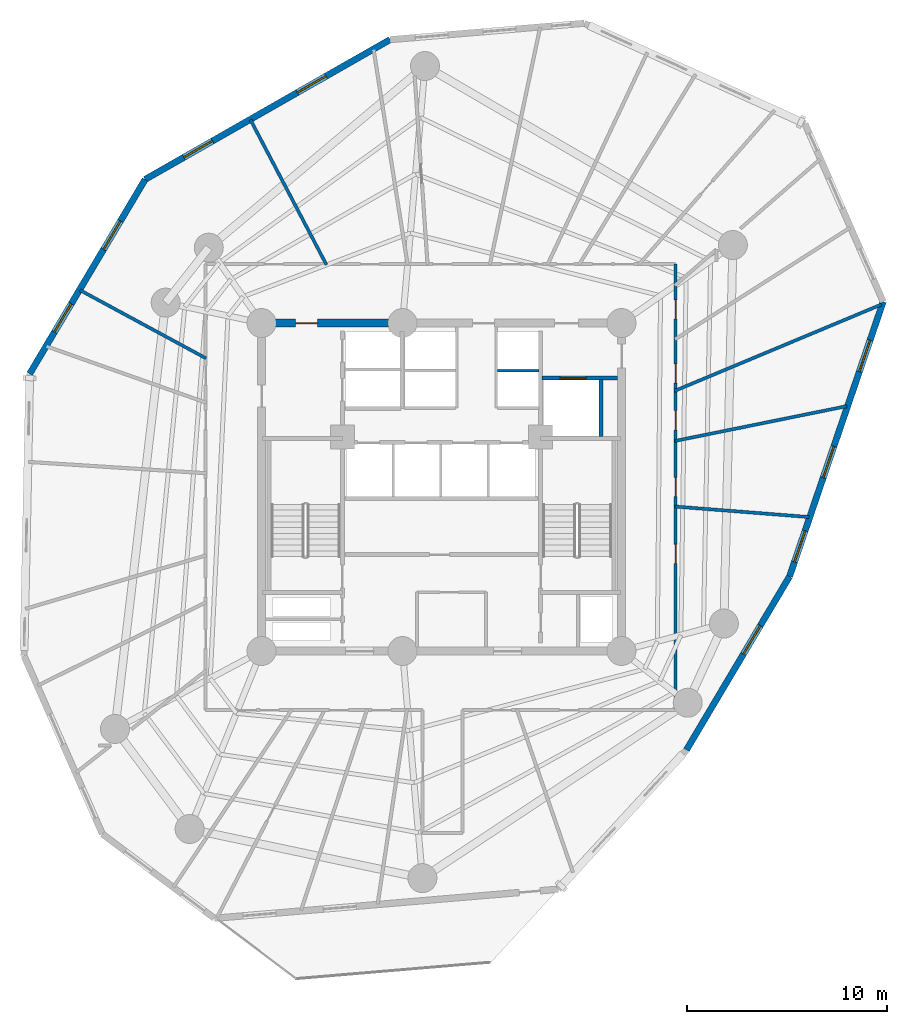
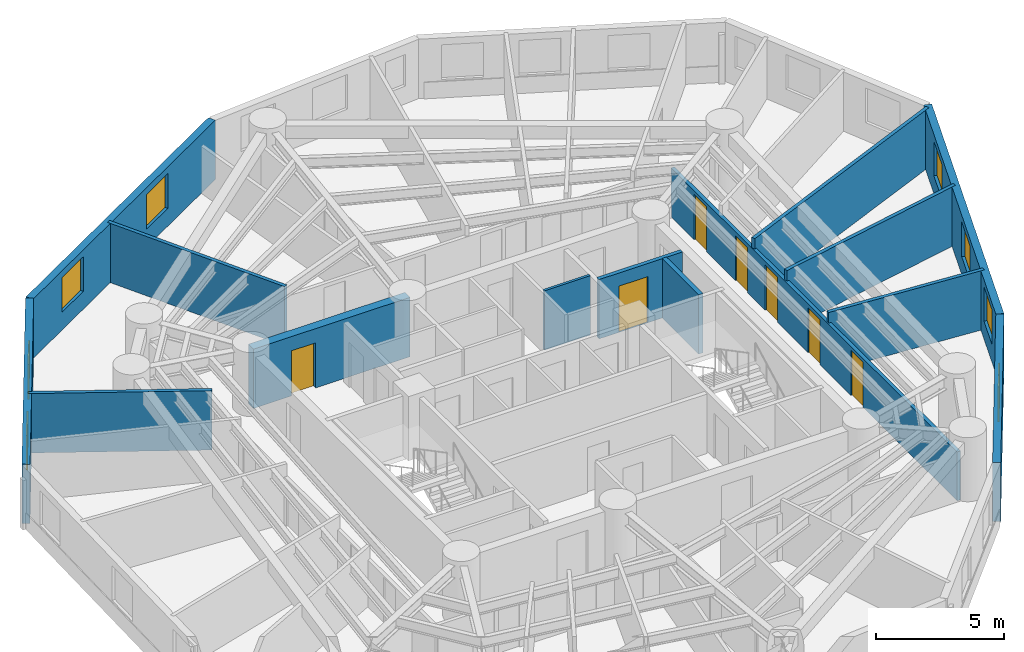
# One storey, part 5 of 10: 14 walls, 8 windows, 7 doors, 15 openings.
"""IFC4 building model written with IfcOpenShell, lengths in metres."""

from ifc_helpers import new_model, si_unit, direction, frame, frame_2d, origin, origin_with_axes, place, context, subcontext, project, spatial, rectangle, extrude, source, transform, mapped, material, layer, layer_set, type_object, element, fill, save


model = new_model("IFC4")

# Units and contexts
model_context = context("Model", 3, precision=1e-05, world=origin(), true_north=direction((0.0, 1.0)))
body_context = subcontext(model_context, "Body", "Model", "MODEL_VIEW")
ifc_project = project(units=[si_unit("LENGTHUNIT", "METRE"), si_unit("AREAUNIT", "SQUARE_METRE"), si_unit("VOLUMEUNIT", "CUBIC_METRE"), si_unit("PLANEANGLEUNIT", "RADIAN"), si_unit("MASSUNIT", "GRAM", prefix="KILO")], contexts=[model_context])

# Site, building, storey
site_placement = place(None, origin())
site = spatial("IfcSite", under=ifc_project, at=site_placement, CompositionType="ELEMENT")
building_placement = place(site_placement, origin())
building = spatial("IfcBuilding", under=site, at=building_placement, Name="Karkom Vertical University and Central Library", CompositionType="ELEMENT")
storey_placement = place(building_placement, frame((0.0, 0.0, 111.449951171875)))
storey = spatial("IfcBuildingStorey", under=building, at=storey_placement, Name="L30", CompositionType="ELEMENT", Elevation=111.449951171875)

# Wall, opening, window
ifc_material_1 = material(Name="Brick-faced precast concrete C45/55", Category="masonry")
ifc_layer_1 = layer(ifc_material_1, 0.320068359375)
ifc_layer_set_1 = layer_set([ifc_layer_1], Name="Brick-faced precast concrete C45/55")
wall_type_1 = type_object("IfcWallType", Name="ENV-WL-BRK-320", PredefinedType="SOLIDWALL", material=ifc_layer_set_1)
wall_1_placement = place(storey_placement, frame((40.7490234375, 13.3515625, 0.0), z_axis=(0.0, 0.0, 1.0), x_axis=(0.510851725042, 0.859668840323, 0.0)))
wall_1 = element("IfcWall", 1, at=wall_1_placement, inside=storey, type_object=wall_type_1, Name="Level 30 Brick-Faced Precast Facade Wall 06", PredefinedType="SOLIDWALL", context=body_context, shape_type="SweptSolid", body=[
    extrude(rectangle(XDim=10.092041015625, YDim=0.320068359375, at=frame_2d((5.0458984375, 0.0))), origin(), (0.0, 0.0, 1.0), 2.824951171875),
])
opening_1_placement = place(wall_1_placement, frame((5.576904296875, 0.0, 0.85009765625)))
opening_1 = element("IfcOpeningElement", 2, at=opening_1_placement, cuts=wall_1, Name="Opening WN-06", PredefinedType="OPENING", context=body_context, shape_type="SweptSolid", body=[
    extrude(rectangle(XDim=1.64990234375, YDim=1.64990234375, at=frame_2d((0.824951171875, 0.824951171875))), frame((0.0, 0.169921875, 0.0), z_axis=(0.0, -1.0, 0.0), x_axis=(1.0, 0.0, 0.0)), (0.0, 0.0, 1.0), 0.340087890625),
])
ifc_material_2 = material(Name="Aluminium thermal-break frame with solar-control IGU", Category="aluminium")
window_type = type_object("IfcWindowType", Name="ENV-WIN-WN-06", PartitioningType="SINGLE_PANEL", PredefinedType="WINDOW", material=ifc_material_2)
shared_shape_1 = source(origin_with_axes(), body_context, "Body", "SweptSolid", [
    extrude(rectangle(XDim=1.64990234375, YDim=1.64990234375, at=frame_2d((0.824951171875, 0.824951171875))), frame((0.0, 0.030029296875, 0.0), z_axis=(0.0, -1.0, 0.0), x_axis=(1.0, 0.0, 0.0)), (0.0, 0.0, 1.0), 0.06005859375),
])
window_1_placement = place(opening_1_placement, origin())
window_1 = element("IfcWindow", 3, at=window_1_placement, inside=storey, type_object=window_type, Name="Level 30 Punched Window 6.1", OverallHeight=1.64990234375, OverallWidth=1.64990234375, PartitioningType="SINGLE_PANEL", PredefinedType="WINDOW", context=body_context, shape_type="MappedRepresentation", body=[
    mapped(shared_shape_1, transform((0.0, 0.0, 0.0), scale=1.0)),
])
fill(opening_1, window_1)

# Wall, openings, windows
wall_2_placement = place(storey_placement, frame((45.904541015625, 22.02734375, 0.0), z_axis=(0.0, 0.0, 1.0), x_axis=(0.322607501478, 0.94653283091, 0.0)))
wall_2 = element("IfcWall", 4, at=wall_2_placement, inside=storey, type_object=wall_type_1, Name="Level 30 Brick-Faced Precast Facade Wall 07", PredefinedType="SOLIDWALL", context=body_context, shape_type="SweptSolid", body=[
    extrude(rectangle(XDim=14.517822265625, YDim=0.320068359375, at=frame_2d((7.2587890625, 0.0))), origin(), (0.0, 0.0, 1.0), 2.824951171875),
])
opening_2_placement = place(wall_2_placement, frame((0.76513671875, 0.0, 0.85009765625)))
opening_2 = element("IfcOpeningElement", 5, at=opening_2_placement, cuts=wall_2, Name="Opening WN-06", PredefinedType="OPENING", context=body_context, shape_type="SweptSolid", body=[
    extrude(rectangle(XDim=1.64990234375, YDim=1.64990234375, at=frame_2d((0.824951171875, 0.824951171875))), frame((0.0, 0.169921875, 0.0), z_axis=(0.0, -1.0, 0.0), x_axis=(1.0, 0.0, 0.0)), (0.0, 0.0, 1.0), 0.340087890625),
])
opening_3_placement = place(wall_2_placement, frame((5.219970703125, 0.0, 0.85009765625)))
opening_3 = element("IfcOpeningElement", 6, at=opening_3_placement, cuts=wall_2, Name="Opening WN-06", PredefinedType="OPENING", context=body_context, shape_type="SweptSolid", body=[
    extrude(rectangle(XDim=1.64990234375, YDim=1.64990234375, at=frame_2d((0.824951171875, 0.824951171875))), frame((0.0, 0.169921875, 0.0), z_axis=(0.0, -1.0, 0.0), x_axis=(1.0, 0.0, 0.0)), (0.0, 0.0, 1.0), 0.340087890625),
])
opening_4_placement = place(wall_2_placement, frame((10.82470703125, 0.0, 0.85009765625)))
opening_4 = element("IfcOpeningElement", 7, at=opening_4_placement, cuts=wall_2, Name="Opening WN-06", PredefinedType="OPENING", context=body_context, shape_type="SweptSolid", body=[
    extrude(rectangle(XDim=1.64990234375, YDim=1.64990234375, at=frame_2d((0.824951171875, 0.824951171875))), frame((0.0, 0.169921875, 0.0), z_axis=(0.0, -1.0, 0.0), x_axis=(1.0, 0.0, 0.0)), (0.0, 0.0, 1.0), 0.340087890625),
])
window_2_placement = place(opening_2_placement, origin())
window_2 = element("IfcWindow", 8, at=window_2_placement, inside=storey, type_object=window_type, Name="Level 30 Punched Window 7.1", OverallHeight=1.64990234375, OverallWidth=1.64990234375, PartitioningType="SINGLE_PANEL", PredefinedType="WINDOW", context=body_context, shape_type="MappedRepresentation", body=[
    mapped(shared_shape_1, transform((0.0, 0.0, 0.0), scale=1.0)),
])
fill(opening_2, window_2)
window_3_placement = place(opening_3_placement, origin())
window_3 = element("IfcWindow", 9, at=window_3_placement, inside=storey, type_object=window_type, Name="Level 30 Punched Window 7.2", OverallHeight=1.64990234375, OverallWidth=1.64990234375, PartitioningType="SINGLE_PANEL", PredefinedType="WINDOW", context=body_context, shape_type="MappedRepresentation", body=[
    mapped(shared_shape_1, transform((0.0, 0.0, 0.0), scale=1.0)),
])
fill(opening_3, window_3)
window_4_placement = place(opening_4_placement, origin())
window_4 = element("IfcWindow", 10, at=window_4_placement, inside=storey, type_object=window_type, Name="Level 30 Punched Window 7.3", OverallHeight=1.64990234375, OverallWidth=1.64990234375, PartitioningType="SINGLE_PANEL", PredefinedType="WINDOW", context=body_context, shape_type="MappedRepresentation", body=[
    mapped(shared_shape_1, transform((0.0, 0.0, 0.0), scale=1.0)),
])
fill(opening_4, window_4)

wall_3_placement = place(storey_placement, frame((25.925048828125, 48.872802734375, 0.0), z_axis=(0.0, 0.0, 1.0), x_axis=(-0.868415696325, -0.495836846529, 0.0)))
wall_3 = element("IfcWall", 11, at=wall_3_placement, inside=storey, type_object=wall_type_1, Name="Level 30 Brick-Faced Precast Facade Wall 11", PredefinedType="SOLIDWALL", context=body_context, shape_type="SweptSolid", body=[
    extrude(rectangle(XDim=14.100830078125, YDim=0.320068359375, at=frame_2d((7.05029296875, 0.0))), origin(), (0.0, 0.0, 1.0), 2.824951171875),
])
opening_5_placement = place(wall_3_placement, frame((3.68603515625, 0.0, 0.85009765625)))
opening_5 = element("IfcOpeningElement", 12, at=opening_5_placement, cuts=wall_3, Name="Opening WN-06", PredefinedType="OPENING", context=body_context, shape_type="SweptSolid", body=[
    extrude(rectangle(XDim=1.64990234375, YDim=1.64990234375, at=frame_2d((0.824951171875, 0.824951171875))), frame((0.0, 0.169921875, 0.0), z_axis=(0.0, -1.0, 0.0), x_axis=(1.0, 0.0, 0.0)), (0.0, 0.0, 1.0), 0.340087890625),
])
opening_6_placement = place(wall_3_placement, frame((10.219970703125, 0.0, 0.85009765625)))
opening_6 = element("IfcOpeningElement", 13, at=opening_6_placement, cuts=wall_3, Name="Opening WN-06", PredefinedType="OPENING", context=body_context, shape_type="SweptSolid", body=[
    extrude(rectangle(XDim=1.64990234375, YDim=1.64990234375, at=frame_2d((0.824951171875, 0.824951171875))), frame((0.0, 0.169921875, 0.0), z_axis=(0.0, -1.0, 0.0), x_axis=(1.0, 0.0, 0.0)), (0.0, 0.0, 1.0), 0.340087890625),
])
window_5_placement = place(opening_5_placement, origin())
window_5 = element("IfcWindow", 14, at=window_5_placement, inside=storey, type_object=window_type, Name="Level 30 Punched Window 11.1", OverallHeight=1.64990234375, OverallWidth=1.64990234375, PartitioningType="SINGLE_PANEL", PredefinedType="WINDOW", context=body_context, shape_type="MappedRepresentation", body=[
    mapped(shared_shape_1, transform((0.0, 0.0, 0.0), scale=1.0)),
])
fill(opening_5, window_5)
window_6_placement = place(opening_6_placement, origin())
window_6 = element("IfcWindow", 15, at=window_6_placement, inside=storey, type_object=window_type, Name="Level 30 Punched Window 11.2", OverallHeight=1.64990234375, OverallWidth=1.64990234375, PartitioningType="SINGLE_PANEL", PredefinedType="WINDOW", context=body_context, shape_type="MappedRepresentation", body=[
    mapped(shared_shape_1, transform((0.0, 0.0, 0.0), scale=1.0)),
])
fill(opening_6, window_6)

wall_4_placement = place(storey_placement, frame((13.6796875, 41.881103515625, 0.0), z_axis=(0.0, 0.0, 1.0), x_axis=(-0.510835150925, -0.859678689151, 0.0)))
wall_4 = element("IfcWall", 16, at=wall_4_placement, inside=storey, type_object=wall_type_1, Name="Level 30 Brick-Faced Precast Facade Wall 12", PredefinedType="SOLIDWALL", context=body_context, shape_type="SweptSolid", body=[
    extrude(rectangle(XDim=11.303466796875, YDim=0.320068359375, at=frame_2d((5.65185546875, 0.0))), origin(), (0.0, 0.0, 1.0), 2.824951171875),
])
opening_7_placement = place(wall_4_placement, frame((2.41650390625, 0.0, 0.85009765625)))
opening_7 = element("IfcOpeningElement", 17, at=opening_7_placement, cuts=wall_4, Name="Opening WN-06", PredefinedType="OPENING", context=body_context, shape_type="SweptSolid", body=[
    extrude(rectangle(XDim=1.64990234375, YDim=1.64990234375, at=frame_2d((0.824951171875, 0.824951171875))), frame((0.0, 0.169921875, 0.0), z_axis=(0.0, -1.0, 0.0), x_axis=(1.0, 0.0, 0.0)), (0.0, 0.0, 1.0), 0.340087890625),
])
opening_8_placement = place(wall_4_placement, frame((7.230224609375, 0.0, 0.85009765625)))
opening_8 = element("IfcOpeningElement", 18, at=opening_8_placement, cuts=wall_4, Name="Opening WN-06", PredefinedType="OPENING", context=body_context, shape_type="SweptSolid", body=[
    extrude(rectangle(XDim=1.64990234375, YDim=1.64990234375, at=frame_2d((0.824951171875, 0.824951171875))), frame((0.0, 0.169921875, 0.0), z_axis=(0.0, -1.0, 0.0), x_axis=(1.0, 0.0, 0.0)), (0.0, 0.0, 1.0), 0.340087890625),
])
window_7_placement = place(opening_7_placement, origin())
window_7 = element("IfcWindow", 19, at=window_7_placement, inside=storey, type_object=window_type, Name="Level 30 Punched Window 12.1", OverallHeight=1.64990234375, OverallWidth=1.64990234375, PartitioningType="SINGLE_PANEL", PredefinedType="WINDOW", context=body_context, shape_type="MappedRepresentation", body=[
    mapped(shared_shape_1, transform((0.0, 0.0, 0.0), scale=1.0)),
])
fill(opening_7, window_7)
window_8_placement = place(opening_8_placement, origin())
window_8 = element("IfcWindow", 20, at=window_8_placement, inside=storey, type_object=window_type, Name="Level 30 Punched Window 12.2", OverallHeight=1.64990234375, OverallWidth=1.64990234375, PartitioningType="SINGLE_PANEL", PredefinedType="WINDOW", context=body_context, shape_type="MappedRepresentation", body=[
    mapped(shared_shape_1, transform((0.0, 0.0, 0.0), scale=1.0)),
])
fill(opening_8, window_8)

# Wall, openings, doors
ifc_material_3 = material(Name="Insulated metal-stud drywall 160mm", Category="gypsum")
ifc_layer_2 = layer(ifc_material_3, 0.159912109375)
ifc_layer_set_2 = layer_set([ifc_layer_2], Name="Insulated metal-stud drywall 160mm")
wall_type_2 = type_object("IfcWallType", Name="INT-WL-COR-160", PredefinedType="PARTITIONING", material=ifc_layer_set_2)
wall_5_placement = place(storey_placement, frame((40.199951171875, 37.64990234375, 0.0), z_axis=(0.0, 0.0, 1.0), x_axis=(0.0, -1.0, 0.0)))
wall_5 = element("IfcWall", 21, at=wall_5_placement, inside=storey, type_object=wall_type_2, Name="Level 30 Interior Partition Wall L30-CORW-CW-004", PredefinedType="PARTITIONING", context=body_context, shape_type="SweptSolid", body=[
    extrude(rectangle(XDim=22.2998046875, YDim=0.159912109375, at=frame_2d((11.14990234375, 0.0))), origin(), (0.0, 0.0, 1.0), 2.324951171875),
])
opening_9_placement = place(wall_5_placement, frame((14.02001953125, 0.0, 0.0)))
opening_9 = element("IfcOpeningElement", 22, at=opening_9_placement, cuts=wall_5, Name="Opening D-RM1", PredefinedType="OPENING", context=body_context, shape_type="SweptSolid", body=[
    extrude(rectangle(XDim=0.949951171875, YDim=2.14990234375, at=frame_2d((0.47509765625, 1.074951171875))), frame((0.0, 0.08984375, 0.0), z_axis=(0.0, -1.0, 0.0), x_axis=(1.0, 0.0, 0.0)), (0.0, 0.0, 1.0), 0.179931640625),
])
opening_10_placement = place(wall_5_placement, frame((10.675048828125, 0.0, 0.0)))
opening_10 = element("IfcOpeningElement", 23, at=opening_10_placement, cuts=wall_5, Name="Opening D-RM1", PredefinedType="OPENING", context=body_context, shape_type="SweptSolid", body=[
    extrude(rectangle(XDim=0.949951171875, YDim=2.14990234375, at=frame_2d((0.47509765625, 1.074951171875))), frame((0.0, 0.08984375, 0.0), z_axis=(0.0, -1.0, 0.0), x_axis=(1.0, 0.0, 0.0)), (0.0, 0.0, 1.0), 0.179931640625),
])
opening_11_placement = place(wall_5_placement, frame((7.330078125, 0.0, 0.0)))
opening_11 = element("IfcOpeningElement", 24, at=opening_11_placement, cuts=wall_5, Name="Opening FD-RM2", PredefinedType="OPENING", context=body_context, shape_type="SweptSolid", body=[
    extrude(rectangle(XDim=0.9599609375, YDim=2.14990234375, at=frame_2d((0.47998046875, 1.074951171875))), frame((0.0, 0.08984375, 0.0), z_axis=(0.0, -1.0, 0.0), x_axis=(1.0, 0.0, 0.0)), (0.0, 0.0, 1.0), 0.179931640625),
])
opening_12_placement = place(wall_5_placement, frame((5.010009765625, 0.0, 0.0)))
opening_12 = element("IfcOpeningElement", 25, at=opening_12_placement, cuts=wall_5, Name="Opening D-RM1", PredefinedType="OPENING", context=body_context, shape_type="SweptSolid", body=[
    extrude(rectangle(XDim=0.949951171875, YDim=2.14990234375, at=frame_2d((0.47509765625, 1.074951171875))), frame((0.0, 0.08984375, 0.0), z_axis=(0.0, -1.0, 0.0), x_axis=(1.0, 0.0, 0.0)), (0.0, 0.0, 1.0), 0.179931640625),
])
opening_13_placement = place(wall_5_placement, frame((1.79443359375, 0.0, 0.0)))
opening_13 = element("IfcOpeningElement", 26, at=opening_13_placement, cuts=wall_5, Name="Opening D-RM1", PredefinedType="OPENING", context=body_context, shape_type="SweptSolid", body=[
    extrude(rectangle(XDim=0.949951171875, YDim=2.14990234375, at=frame_2d((0.47509765625, 1.074951171875))), frame((0.0, 0.08984375, 0.0), z_axis=(0.0, -1.0, 0.0), x_axis=(1.0, 0.0, 0.0)), (0.0, 0.0, 1.0), 0.179931640625),
])
ifc_material_4 = material(Name="Fire-rated oak veneer door", Category="wood")
door_type_1 = type_object("IfcDoorType", Name="INT-DR-FRM2", OperationType="NOTDEFINED", PredefinedType="DOOR", material=ifc_material_4)
shared_shape_2 = source(origin_with_axes(), body_context, "Body", "SweptSolid", [
    extrude(rectangle(XDim=0.9599609375, YDim=2.14990234375, at=frame_2d((0.47998046875, 1.074951171875))), frame((0.0, 0.02490234375, 0.0), z_axis=(0.0, -1.0, 0.0), x_axis=(1.0, 0.0, 0.0)), (0.0, 0.0, 1.0), 0.050048828125),
])
door_1_placement = place(opening_11_placement, origin())
door_1 = element("IfcDoor", 27, at=door_1_placement, inside=storey, type_object=door_type_1, Name="Level 30 Room Entry Door 120", OperationType="SINGLE_SWING_LEFT", OverallHeight=2.14990234375, OverallWidth=0.9599609375, PredefinedType="DOOR", context=body_context, shape_type="MappedRepresentation", body=[
    mapped(shared_shape_2, transform((0.0, 0.0, 0.0), scale=1.0)),
])
fill(opening_11, door_1)
ifc_material_5 = material(Name="Solid-core oak veneer door", Category="wood")
door_type_2 = type_object("IfcDoorType", Name="INT-DR-RM1", OperationType="NOTDEFINED", PredefinedType="DOOR", material=ifc_material_5)
shared_shape_3 = source(origin_with_axes(), body_context, "Body", "SweptSolid", [
    extrude(rectangle(XDim=0.949951171875, YDim=2.14990234375, at=frame_2d((0.47509765625, 1.074951171875))), frame((0.0, 0.02490234375, 0.0), z_axis=(0.0, -1.0, 0.0), x_axis=(1.0, 0.0, 0.0)), (0.0, 0.0, 1.0), 0.050048828125),
])
door_2_placement = place(opening_9_placement, origin())
door_2 = element("IfcDoor", 28, at=door_2_placement, inside=storey, type_object=door_type_2, Name="Level 30 Room Entry Door 100", OperationType="SINGLE_SWING_LEFT", OverallHeight=2.14990234375, OverallWidth=0.949951171875, PredefinedType="DOOR", context=body_context, shape_type="MappedRepresentation", body=[
    mapped(shared_shape_3, transform((0.0, 0.0, 0.0), scale=1.0)),
])
fill(opening_9, door_2)
door_3_placement = place(opening_10_placement, origin())
door_3 = element("IfcDoor", 29, at=door_3_placement, inside=storey, type_object=door_type_2, Name="Level 30 Room Entry Door 110", OperationType="SINGLE_SWING_RIGHT", OverallHeight=2.14990234375, OverallWidth=0.949951171875, PredefinedType="DOOR", context=body_context, shape_type="MappedRepresentation", body=[
    mapped(shared_shape_3, transform((0.0, 0.0, 0.0), scale=1.0)),
])
fill(opening_10, door_3)
door_4_placement = place(opening_12_placement, origin())
door_4 = element("IfcDoor", 30, at=door_4_placement, inside=storey, type_object=door_type_2, Name="Level 30 Room Entry Door 130", OperationType="SINGLE_SWING_RIGHT", OverallHeight=2.14990234375, OverallWidth=0.949951171875, PredefinedType="DOOR", context=body_context, shape_type="MappedRepresentation", body=[
    mapped(shared_shape_3, transform((0.0, 0.0, 0.0), scale=1.0)),
])
fill(opening_12, door_4)
door_5_placement = place(opening_13_placement, origin())
door_5 = element("IfcDoor", 31, at=door_5_placement, inside=storey, type_object=door_type_2, Name="Level 30 Room Entry Door 140", OperationType="SINGLE_SWING_LEFT", OverallHeight=2.14990234375, OverallWidth=0.949951171875, PredefinedType="DOOR", context=body_context, shape_type="MappedRepresentation", body=[
    mapped(shared_shape_3, transform((0.0, 0.0, 0.0), scale=1.0)),
])
fill(opening_13, door_5)

# Walls
wall_6_placement = place(storey_placement, frame((40.158447265625, 31.306640625, 0.0), z_axis=(0.0, 0.0, 1.0), x_axis=(0.922688990562, 0.385545103323, 0.0)))
element("IfcWall", 32, at=wall_6_placement, inside=storey, type_object=wall_type_2, Name="Level 30 Interior Partition Wall L30-PW-017", PredefinedType="PARTITIONING", context=body_context, shape_type="SweptSolid", body=[
    extrude(rectangle(XDim=11.203857421875, YDim=0.159912109375, at=frame_2d((5.60205078125, 0.0))), origin(), (0.0, 0.0, 1.0), 2.824951171875),
])
wall_7_placement = place(storey_placement, frame((40.170654296875, 28.802734375, 0.0), z_axis=(0.0, 0.0, 1.0), x_axis=(0.980097317827, 0.198517625387, 0.0)))
element("IfcWall", 33, at=wall_7_placement, inside=storey, type_object=wall_type_2, Name="Level 30 Interior Partition Wall L30-PW-016", PredefinedType="PARTITIONING", context=body_context, shape_type="SweptSolid", body=[
    extrude(rectangle(XDim=8.77587890625, YDim=0.159912109375, at=frame_2d((4.387939453125, 0.0))), origin(), (0.0, 0.0, 1.0), 2.824951171875),
])
wall_8_placement = place(storey_placement, frame((22.7470703125, 37.610107421875, 0.0), z_axis=(0.0, 0.0, 1.0), x_axis=(-0.464074979272, 0.885795920974, 0.0)))
element("IfcWall", 34, at=wall_8_placement, inside=storey, type_object=wall_type_2, Name="Level 30 Interior Partition Wall L30-PW-028", PredefinedType="PARTITIONING", context=body_context, shape_type="SweptSolid", body=[
    extrude(rectangle(XDim=8.185302734375, YDim=0.159912109375, at=frame_2d((4.0927734375, 0.0))), origin(), (0.0, 0.0, 1.0), 2.824951171875),
])
wall_9_placement = place(storey_placement, frame((16.726318359375, 32.934814453125, 0.0), z_axis=(0.0, 0.0, 1.0), x_axis=(-0.879632203362, 0.475654482591, 0.0)))
element("IfcWall", 35, at=wall_9_placement, inside=storey, type_object=wall_type_2, Name="Level 30 Interior Partition Wall L30-PW-029", PredefinedType="PARTITIONING", context=body_context, shape_type="SweptSolid", body=[
    extrude(rectangle(XDim=7.169921875, YDim=0.159912109375, at=frame_2d((3.5849609375, 0.0))), origin(), (0.0, 0.0, 1.0), 2.824951171875),
])
wall_10_placement = place(storey_placement, frame((40.170166015625, 25.5244140625, 0.0), z_axis=(0.0, 0.0, 1.0), x_axis=(0.996941754845, -0.078148176226, 0.0)))
element("IfcWall", 36, at=wall_10_placement, inside=storey, type_object=wall_type_2, Name="Level 30 Interior Partition Wall L30-PW-015", PredefinedType="PARTITIONING", context=body_context, shape_type="SweptSolid", body=[
    extrude(rectangle(XDim=6.738525390625, YDim=0.159912109375, at=frame_2d((3.369140625, 0.0))), origin(), (0.0, 0.0, 1.0), 2.824951171875),
])
ifc_material_6 = material(Name="Moisture-resistant drywall 120mm", Category="gypsum")
ifc_layer_3 = layer(ifc_material_6, 0.1201171875)
ifc_layer_set_3 = layer_set([ifc_layer_3], Name="Moisture-resistant drywall 120mm")
wall_type_3 = type_object("IfcWallType", Name="INT-WL-INT-120H", PredefinedType="PARTITIONING", material=ifc_layer_set_3)
wall_11_placement = place(storey_placement, frame((31.300048828125, 32.320068359375, 0.0), z_axis=(0.0, 0.0, 1.0), x_axis=(1.0, 0.0, 0.0)))
element("IfcWall", 37, at=wall_11_placement, inside=storey, type_object=wall_type_3, Name="Level 30 Interior Partition Wall L30-CW-PH-ME", PredefinedType="PARTITIONING", context=body_context, shape_type="SweptSolid", body=[
    extrude(rectangle(XDim=2.074951171875, YDim=0.1201171875, at=frame_2d((1.03759765625, 0.0))), origin(), (0.0, 0.0, 1.0), 2.824951171875),
])

# Wall, opening, door
ifc_material_7 = material(Name="Twin-stud acoustic drywall 180mm", Category="gypsum")
ifc_layer_4 = layer(ifc_material_7, 0.179931640625)
ifc_layer_set_4 = layer_set([ifc_layer_4], Name="Twin-stud acoustic drywall 180mm")
wall_type_4 = type_object("IfcWallType", Name="INT-WL-TEN-180F", PredefinedType="PARTITIONING", material=ifc_layer_set_4)
wall_12_placement = place(storey_placement, frame((33.534912109375, 31.949951171875, 0.0), z_axis=(0.0, 0.0, 1.0), x_axis=(1.0, 0.0, 0.0)))
wall_12 = element("IfcWall", 38, at=wall_12_placement, inside=storey, type_object=wall_type_4, Name="Level 30 Interior Partition Wall L30-CW-SVL-N", PredefinedType="PARTITIONING", context=body_context, shape_type="SweptSolid", body=[
    extrude(rectangle(XDim=3.7587890625, YDim=0.179931640625, at=frame_2d((1.87939453125, 0.0))), origin(), (0.0, 0.0, 1.0), 2.824951171875),
])
opening_14_placement = place(wall_12_placement, frame((0.89990234375, 0.0, 0.0)))
opening_14 = element("IfcOpeningElement", 39, at=opening_14_placement, cuts=wall_12, Name="Opening LD-SV1", PredefinedType="OPENING", context=body_context, shape_type="SweptSolid", body=[
    extrude(rectangle(XDim=1.300048828125, YDim=2.199951171875, at=frame_2d((0.64990234375, 1.10009765625))), frame((0.0, 0.10009765625, 0.0), z_axis=(0.0, -1.0, 0.0), x_axis=(1.0, 0.0, 0.0)), (0.0, 0.0, 1.0), 0.199951171875),
])
ifc_material_8 = material(Name="Brushed stainless-steel landing door", Category="steel")
door_type_3 = type_object("IfcDoorType", Name="INT-DR-LD-SV1", OperationType="SLIDING_TO_LEFT", PredefinedType="DOOR", material=ifc_material_8)
shared_shape_4 = source(origin_with_axes(), body_context, "Body", "SweptSolid", [
    extrude(rectangle(XDim=1.300048828125, YDim=2.199951171875, at=frame_2d((0.64990234375, 1.10009765625))), frame((0.0, 0.02490234375, 0.0), z_axis=(0.0, -1.0, 0.0), x_axis=(1.0, 0.0, 0.0)), (0.0, 0.0, 1.0), 0.050048828125),
])
door_6_placement = place(opening_14_placement, origin())
door_6 = element("IfcDoor", 40, at=door_6_placement, inside=storey, type_object=door_type_3, Name="Level 30 Service Lift Landing Door LD-SV1", OperationType="SLIDING_TO_LEFT", OverallHeight=2.199951171875, OverallWidth=1.300048828125, PredefinedType="DOOR", context=body_context, shape_type="MappedRepresentation", body=[
    mapped(shared_shape_4, transform((0.0, 0.0, 0.0), scale=1.0)),
])
fill(opening_14, door_6)

ifc_material_9 = material(Name="Concrete C50/60", Category="concrete")
ifc_layer_5 = layer(ifc_material_9, 0.39990234375)
ifc_layer_set_5 = layer_set([ifc_layer_5], Name="Concrete C50/60")
wall_type_5 = type_object("IfcWallType", Name="STR-WL-CW-400", PredefinedType="SHEAR", material=ifc_layer_set_5)
wall_13_placement = place(storey_placement, frame((26.550048828125, 34.699951171875, 0.0), z_axis=(0.0, 0.0, 1.0), x_axis=(-1.0, 0.0, 0.0)))
wall_13 = element("IfcWall", 41, at=wall_13_placement, inside=storey, type_object=wall_type_5, Name="Level 30 Central Core Shear Wall NW2", PredefinedType="SHEAR", context=body_context, shape_type="SweptSolid", body=[
    extrude(rectangle(XDim=7.050048828125, YDim=0.39990234375, at=frame_2d((3.52490234375, 0.0))), origin(), (0.0, 0.0, 1.0), 2.824951171875),
])
opening_15_placement = place(wall_13_placement, frame((4.25, 0.0, 0.0)))
opening_15 = element("IfcOpeningElement", 42, at=opening_15_placement, cuts=wall_13, Name="Opening FD-FFL", PredefinedType="OPENING", context=body_context, shape_type="SweptSolid", body=[
    extrude(rectangle(XDim=1.10009765625, YDim=2.14990234375, at=frame_2d((0.550048828125, 1.074951171875))), frame((0.0, 0.2099609375, 0.0), z_axis=(0.0, -1.0, 0.0), x_axis=(1.0, 0.0, 0.0)), (0.0, 0.0, 1.0), 0.419921875),
])
ifc_material_10 = material(Name="Painted steel smoke-seal fire door", Category="steel")
door_type_4 = type_object("IfcDoorType", Name="INT-DR-FFL", OperationType="NOTDEFINED", PredefinedType="DOOR", material=ifc_material_10)
shared_shape_5 = source(origin_with_axes(), body_context, "Body", "SweptSolid", [
    extrude(rectangle(XDim=1.10009765625, YDim=2.14990234375, at=frame_2d((0.550048828125, 1.074951171875))), frame((0.0, 0.02490234375, 0.0), z_axis=(0.0, -1.0, 0.0), x_axis=(1.0, 0.0, 0.0)), (0.0, 0.0, 1.0), 0.050048828125),
])
door_7_placement = place(opening_15_placement, origin())
door_7 = element("IfcDoor", 43, at=door_7_placement, inside=storey, type_object=door_type_4, Name="Level 30 Firefighting Lobby Door", OperationType="SINGLE_SWING_LEFT", OverallHeight=2.14990234375, OverallWidth=1.10009765625, PredefinedType="DOOR", context=body_context, shape_type="MappedRepresentation", body=[
    mapped(shared_shape_5, transform((0.0, 0.0, 0.0), scale=1.0)),
])
fill(opening_15, door_7)

# Wall
ifc_material_11 = material(Name="Concrete C45/55", Category="concrete")
ifc_layer_6 = layer(ifc_material_11, 0.199951171875)
ifc_layer_set_6 = layer_set([ifc_layer_6], Name="Concrete C45/55")
wall_type_6 = type_object("IfcWallType", Name="STR-WL-ST-200", PredefinedType="SHEAR", material=ifc_layer_set_6)
wall_14_placement = place(storey_placement, frame((36.47998046875, 29.02001953125, 0.0), z_axis=(0.0, 0.0, 1.0), x_axis=(0.0, 1.0, 0.0)))
element("IfcWall", 44, at=wall_14_placement, inside=storey, type_object=wall_type_6, Name="Level 30 Core Shaft Wall L30-CW-SVL-E", PredefinedType="SHEAR", context=body_context, shape_type="SweptSolid", body=[
    extrude(rectangle(XDim=2.85986328125, YDim=0.199951171875, at=frame_2d((1.429931640625, 0.0))), origin(), (0.0, 0.0, 1.0), 2.824951171875),
])

save(model, "model.ifc")
